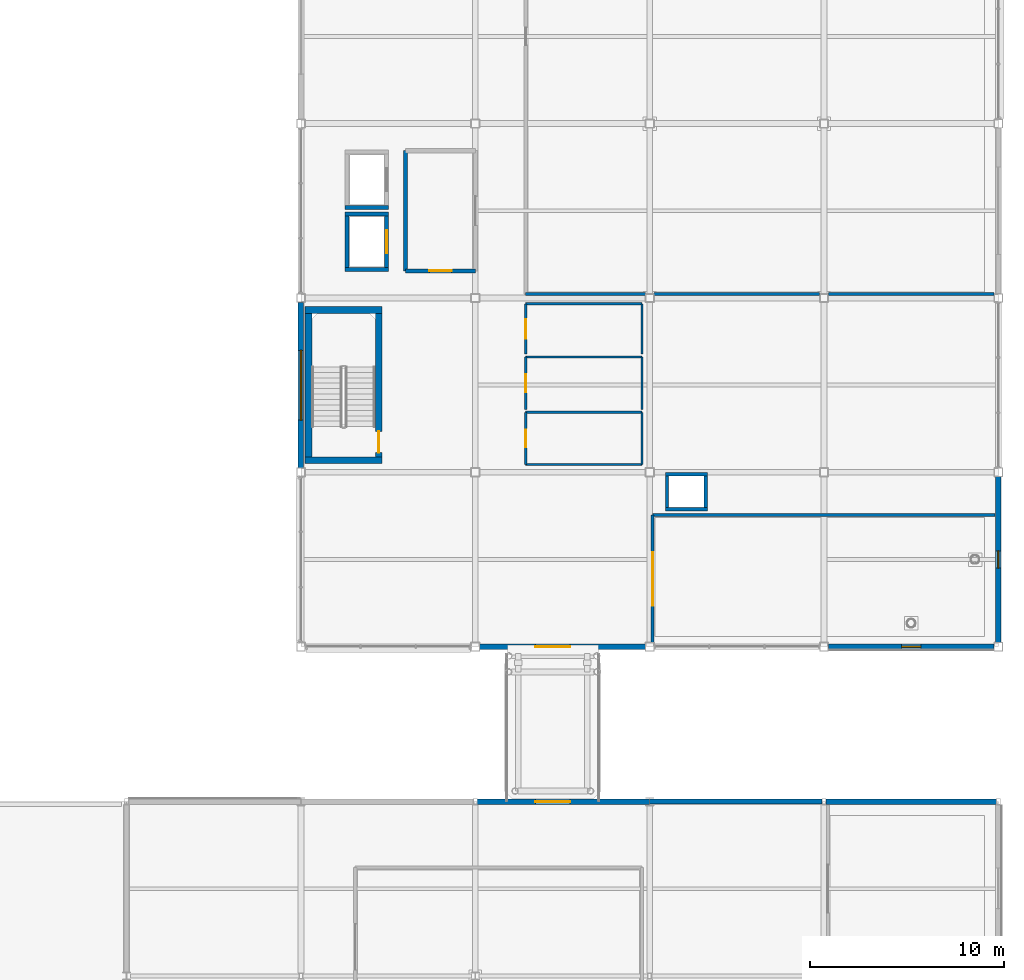
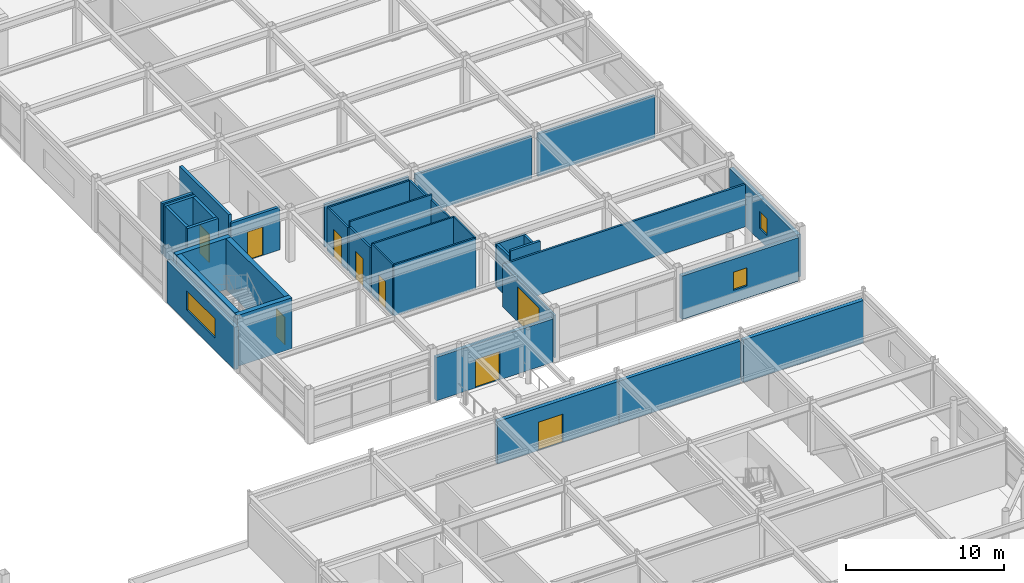
# One storey, part 78 of 105: 37 walls, 9 doors, 3 windows, 12 openings.
"""IFC4 building model written with IfcOpenShell, lengths in metres."""

from ifc_helpers import new_model, si_unit, direction, frame, frame_2d, origin, place, context, subcontext, project, spatial, rectangle, extrude, material, layer, layer_set, type_object, element, fill, save


model = new_model("IFC4")

# Units and contexts
model_context = context("Model", 3, precision=1e-05, world=origin(), true_north=direction((0.0, 1.0)))
body_context = subcontext(model_context, "Body", "Model", "MODEL_VIEW")
ifc_project = project(units=[si_unit("LENGTHUNIT", "METRE"), si_unit("AREAUNIT", "SQUARE_METRE"), si_unit("VOLUMEUNIT", "CUBIC_METRE"), si_unit("PLANEANGLEUNIT", "RADIAN"), si_unit("MASSUNIT", "GRAM", prefix="KILO")], contexts=[model_context])

# Site, building, storey
site_placement = place(None, origin())
site = spatial("IfcSite", under=ifc_project, at=site_placement, CompositionType="ELEMENT")
building_placement = place(site_placement, origin())
building = spatial("IfcBuilding", under=site, at=building_placement, Name="Suzunagisa Mobility Hub", CompositionType="ELEMENT")
storey_placement = place(building_placement, frame((0.0, 0.0, 5.10009765625)))
storey = spatial("IfcBuildingStorey", under=building, at=storey_placement, Name="L01", CompositionType="ELEMENT", Elevation=5.10009765625)

# Walls
ifc_material_1 = material(Name="Porcelain-Faced Insulated Concrete C30/37 Wall", Category="concrete")
ifc_layer_1 = layer(ifc_material_1, 0.260009765625)
ifc_layer_set_1 = layer_set([ifc_layer_1], Name="Porcelain-Faced Insulated Concrete C30/37 Wall")
wall_type_1 = type_object("IfcWallType", Name="Exterior Wall EW-03 260mm", PredefinedType="SOLIDWALL", material=ifc_layer_set_1)
wall_1_placement = place(storey_placement, frame((170.89990234375, 36.0, 0.0), z_axis=(0.0, 0.0, 1.0), x_axis=(-1.0, 0.0, 0.0)))
element("IfcWall", 1, at=wall_1_placement, inside=storey, type_object=wall_type_1, Name="L01 Exterior Facade Wall EW-302", PredefinedType="SOLIDWALL", context=body_context, shape_type="SweptSolid", body=[
    extrude(rectangle(XDim=8.8955078125, YDim=0.260009765625, at=frame_2d((4.44775390625, 0.0))), origin(), (0.0, 0.0, 1.0), 3.2998046875),
])
ifc_layer_2 = layer(ifc_material_1, 0.280029296875)
ifc_layer_set_2 = layer_set([ifc_layer_2], Name="Porcelain-Faced Insulated Concrete C30/37 Wall")
wall_type_2 = type_object("IfcWallType", Name="Exterior Wall EW-08 280mm", PredefinedType="SOLIDWALL", material=ifc_layer_set_2)
wall_2_placement = place(storey_placement, frame((179.89990234375, 36.0, 0.0), z_axis=(0.0, 0.0, 1.0), x_axis=(-1.0, 0.0, 0.0)))
element("IfcWall", 2, at=wall_2_placement, inside=storey, type_object=wall_type_2, Name="L01 Exterior Facade Wall EW-301", PredefinedType="SOLIDWALL", context=body_context, shape_type="SweptSolid", body=[
    extrude(rectangle(XDim=8.7998046875, YDim=0.280029296875, at=frame_2d((4.39990234375, 0.0))), origin(), (0.0, 0.0, 1.0), 3.2998046875),
])

# Wall, opening, door
wall_3_placement = place(storey_placement, frame((161.99560546875, 36.0, 0.0), z_axis=(0.0, 0.0, 1.0), x_axis=(-1.0, 0.0, 0.0)))
wall_3 = element("IfcWall", 3, at=wall_3_placement, inside=storey, type_object=wall_type_2, Name="L01 Skybridge Portal Facade Wall 303", PredefinedType="SOLIDWALL", context=body_context, shape_type="SweptSolid", body=[
    extrude(rectangle(XDim=8.8955078125, YDim=0.280029296875, at=frame_2d((4.44775390625, 0.0))), origin(), (0.0, 0.0, 1.0), 3.2998046875),
])
opening_1_placement = place(wall_3_placement, frame((5.8955078125, 0.0, 0.0), z_axis=(0.0, 0.0, 1.0), x_axis=(-1.0, 0.0, 0.0)))
opening_1 = element("IfcOpeningElement", 4, at=opening_1_placement, cuts=wall_3, Name="Opening ED-12", PredefinedType="OPENING", context=body_context, shape_type="SweptSolid", body=[
    extrude(rectangle(XDim=1.800048828125, YDim=2.199951171875, at=frame_2d((0.89990234375, 1.10009765625))), frame((0.0, 0.15087890625, 0.0), z_axis=(0.0, -1.0, 0.0), x_axis=(1.0, 0.0, 0.0)), (0.0, 0.0, 1.0), 0.302001953125),
])
ifc_material_2 = material(Name="Anodized Aluminum and Tempered Safety Glass", Category="aluminium")
door_type_1 = type_object("IfcDoorType", Name="Exterior Glazed Aluminum Door ED-12 1800x2200", OperationType="DOUBLE_DOOR_SINGLE_SWING", PredefinedType="DOOR", material=ifc_material_2)
door_1_placement = place(opening_1_placement, origin())
door_1 = element("IfcDoor", 5, at=door_1_placement, inside=storey, type_object=door_type_1, Name="L01 Skybridge Portal Glazed Door BD-33", OperationType="SINGLE_SWING_LEFT", OverallHeight=2.199951171875, OverallWidth=1.800048828125, PredefinedType="DOOR", context=body_context, shape_type="SweptSolid", body=[
    extrude(rectangle(XDim=1.800048828125, YDim=2.199951171875, at=frame_2d((0.89990234375, 1.10009765625))), frame((0.0, 0.02490234375, 0.0), z_axis=(0.0, -1.0, 0.0), x_axis=(1.0, 0.0, 0.0)), (0.0, 0.0, 1.0), 0.050048828125),
])
fill(opening_1, door_1)

wall_4_placement = place(storey_placement, frame((153.22509765625, 44.0, 0.0), z_axis=(0.0, 0.0, 1.0), x_axis=(1.0, 0.0, 0.0)))
wall_4 = element("IfcWall", 6, at=wall_4_placement, inside=storey, type_object=wall_type_2, Name="L01 Skybridge Portal Facade Wall 359", PredefinedType="SOLIDWALL", context=body_context, shape_type="SweptSolid", body=[
    extrude(rectangle(XDim=8.5498046875, YDim=0.280029296875, at=frame_2d((4.27490234375, 0.0))), origin(), (0.0, 0.0, 1.0), 3.36181640625),
])
opening_2_placement = place(wall_4_placement, frame((4.675048828125, 0.0, 0.0), z_axis=(0.0, 0.0, 1.0), x_axis=(-1.0, 0.0, 0.0)))
opening_2 = element("IfcOpeningElement", 7, at=opening_2_placement, cuts=wall_4, Name="Opening ED-12", PredefinedType="OPENING", context=body_context, shape_type="SweptSolid", body=[
    extrude(rectangle(XDim=1.800048828125, YDim=2.199951171875, at=frame_2d((0.89990234375, 1.10009765625))), frame((0.0, 0.15087890625, 0.0), z_axis=(0.0, -1.0, 0.0), x_axis=(1.0, 0.0, 0.0)), (0.0, 0.0, 1.0), 0.302001953125),
])
door_2_placement = place(opening_2_placement, origin())
door_2 = element("IfcDoor", 8, at=door_2_placement, inside=storey, type_object=door_type_1, Name="L01 Skybridge Portal Glazed Door BD-37", OperationType="SINGLE_SWING_LEFT", OverallHeight=2.199951171875, OverallWidth=1.800048828125, PredefinedType="DOOR", context=body_context, shape_type="SweptSolid", body=[
    extrude(rectangle(XDim=1.800048828125, YDim=2.199951171875, at=frame_2d((0.89990234375, 1.10009765625))), frame((0.0, 0.02490234375, 0.0), z_axis=(0.0, -1.0, 0.0), x_axis=(1.0, 0.0, 0.0)), (0.0, 0.0, 1.0), 0.050048828125),
])
fill(opening_2, door_2)

# Wall, opening, window
wall_5_placement = place(storey_placement, frame((180.0, 44.22509765625, 0.0), z_axis=(0.0, 0.0, 1.0), x_axis=(0.0, 1.0, 0.0)))
wall_5 = element("IfcWall", 9, at=wall_5_placement, inside=storey, type_object=wall_type_2, Name="L01 Exterior Facade Wall EW-361", PredefinedType="SOLIDWALL", context=body_context, shape_type="SweptSolid", body=[
    extrude(rectangle(XDim=8.5498046875, YDim=0.280029296875, at=frame_2d((4.27490234375, 0.0))), origin(), (0.0, 0.0, 1.0), 3.2998046875),
])
opening_3_placement = place(wall_5_placement, frame((3.824951171875, 0.0, 0.949951171875)))
opening_3 = element("IfcOpeningElement", 10, at=opening_3_placement, cuts=wall_5, Name="Opening WN-14", PredefinedType="OPENING", context=body_context, shape_type="SweptSolid", body=[
    extrude(rectangle(XDim=0.89990234375, YDim=1.300048828125, at=frame_2d((0.449951171875, 0.64990234375))), frame((0.0, 0.15087890625, 0.0), z_axis=(0.0, -1.0, 0.0), x_axis=(1.0, 0.0, 0.0)), (0.0, 0.0, 1.0), 0.302001953125),
])
ifc_material_3 = material(Name="Thermally Broken Anodized Aluminum and Low-E Double Glazing", Category="aluminium")
window_type_1 = type_object("IfcWindowType", Name="Aluminum Window WN-14 900x1300", PartitioningType="SINGLE_PANEL", PredefinedType="WINDOW", material=ifc_material_3)
window_1_placement = place(opening_3_placement, origin())
window_1 = element("IfcWindow", 11, at=window_1_placement, inside=storey, type_object=window_type_1, Name="L01 Scheduled Facade Window WN-116", OverallHeight=1.300048828125, OverallWidth=0.89990234375, PartitioningType="SINGLE_PANEL", PredefinedType="WINDOW", context=body_context, shape_type="SweptSolid", body=[
    extrude(rectangle(XDim=0.89990234375, YDim=1.300048828125, at=frame_2d((0.449951171875, 0.64990234375))), frame((0.0, 0.030029296875, 0.0), z_axis=(0.0, -1.0, 0.0), x_axis=(1.0, 0.0, 0.0)), (0.0, 0.0, 1.0), 0.06005859375),
])
fill(opening_3, window_1)

wall_6_placement = place(storey_placement, frame((144.0, 61.77490234375, 0.0), z_axis=(0.0, 0.0, 1.0), x_axis=(0.0, -1.0, 0.0)))
wall_6 = element("IfcWall", 12, at=wall_6_placement, inside=storey, type_object=wall_type_2, Name="L01 Exterior Facade Wall EW-369", PredefinedType="SOLIDWALL", context=body_context, shape_type="SweptSolid", body=[
    extrude(rectangle(XDim=8.5498046875, YDim=0.280029296875, at=frame_2d((4.27490234375, 0.0))), origin(), (0.0, 0.0, 1.0), 3.2998046875),
])
opening_4_placement = place(wall_6_placement, frame((2.47509765625, 0.0, 0.949951171875)))
opening_4 = element("IfcOpeningElement", 13, at=opening_4_placement, cuts=wall_6, Name="Opening WN-27", PredefinedType="OPENING", context=body_context, shape_type="SweptSolid", body=[
    extrude(rectangle(XDim=3.60009765625, YDim=1.5, at=frame_2d((1.800048828125, 0.75))), frame((0.0, 0.15087890625, 0.0), z_axis=(0.0, -1.0, 0.0), x_axis=(1.0, 0.0, 0.0)), (0.0, 0.0, 1.0), 0.302001953125),
])
window_type_2 = type_object("IfcWindowType", Name="Aluminum Window WN-27 3600x1500", PartitioningType="SINGLE_PANEL", PredefinedType="WINDOW", material=ifc_material_3)
window_2_placement = place(opening_4_placement, origin())
window_2 = element("IfcWindow", 14, at=window_2_placement, inside=storey, type_object=window_type_2, Name="L01 Scheduled Facade Window WN-123", OverallHeight=1.5, OverallWidth=3.60009765625, PartitioningType="SINGLE_PANEL", PredefinedType="WINDOW", context=body_context, shape_type="SweptSolid", body=[
    extrude(rectangle(XDim=3.60009765625, YDim=1.5, at=frame_2d((1.800048828125, 0.75))), frame((0.0, 0.030029296875, 0.0), z_axis=(0.0, -1.0, 0.0), x_axis=(1.0, 0.0, 0.0)), (0.0, 0.0, 1.0), 0.06005859375),
])
fill(opening_4, window_2)

ifc_material_4 = material(Name="Insulated Precast Concrete C35/45 Panel", Category="concrete")
ifc_layer_3 = layer(ifc_material_4, 0.300048828125)
ifc_layer_set_3 = layer_set([ifc_layer_3], Name="Insulated Precast Concrete C35/45 Panel")
wall_type_3 = type_object("IfcWallType", Name="Exterior Wall EW-09 300mm", PredefinedType="SOLIDWALL", material=ifc_layer_set_3)
wall_7_placement = place(storey_placement, frame((171.22509765625, 44.0, 0.0), z_axis=(0.0, 0.0, 1.0), x_axis=(1.0, 0.0, 0.0)))
wall_7 = element("IfcWall", 15, at=wall_7_placement, inside=storey, type_object=wall_type_3, Name="L01 Exterior Facade Wall EW-360", PredefinedType="SOLIDWALL", context=body_context, shape_type="SweptSolid", body=[
    extrude(rectangle(XDim=8.5498046875, YDim=0.300048828125, at=frame_2d((4.27490234375, 0.0))), origin(), (0.0, 0.0, 1.0), 3.36181640625),
])
opening_5_placement = place(wall_7_placement, frame((3.77490234375, 0.0, 0.949951171875)))
opening_5 = element("IfcOpeningElement", 16, at=opening_5_placement, cuts=wall_7, Name="Opening WN-21", PredefinedType="OPENING", context=body_context, shape_type="SweptSolid", body=[
    extrude(rectangle(XDim=1.0, YDim=1.39990234375, at=frame_2d((0.5, 0.699951171875))), frame((0.0, 0.1611328125, 0.0), z_axis=(0.0, -1.0, 0.0), x_axis=(1.0, 0.0, 0.0)), (0.0, 0.0, 1.0), 0.322021484375),
])
window_type_3 = type_object("IfcWindowType", Name="Aluminum Window WN-21 1000x1400", PartitioningType="SINGLE_PANEL", PredefinedType="WINDOW", material=ifc_material_3)
window_3_placement = place(opening_5_placement, origin())
window_3 = element("IfcWindow", 17, at=window_3_placement, inside=storey, type_object=window_type_3, Name="L01 Scheduled Facade Window WN-115", OverallHeight=1.39990234375, OverallWidth=1.0, PartitioningType="SINGLE_PANEL", PredefinedType="WINDOW", context=body_context, shape_type="SweptSolid", body=[
    extrude(rectangle(XDim=1.0, YDim=1.39990234375, at=frame_2d((0.5, 0.699951171875))), frame((0.0, 0.030029296875, 0.0), z_axis=(0.0, -1.0, 0.0), x_axis=(1.0, 0.0, 0.0)), (0.0, 0.0, 1.0), 0.06005859375),
])
fill(opening_5, window_3)

# Walls
ifc_material_5 = material(Name="Moisture-Resistant Gypsum Partition", Category="gypsum")
ifc_layer_4 = layer(ifc_material_5, 0.1201171875)
ifc_layer_set_4 = layer_set([ifc_layer_4], Name="Moisture-Resistant Gypsum Partition")
wall_type_4 = type_object("IfcWallType", Name="Interior Wall IW-02 120mm", PredefinedType="PARTITIONING", material=ifc_layer_set_4)
for number, where, z_axis, x_axis, name in (
    (18, (155.60009765625, 53.39990234375, 0.0), (0.0, 0.0, 1.0), (1.0, 0.0, 0.0), "L01 Male Restroom WC L01 Partition PW-585"),
    (19, (155.60009765625, 56.10009765625, 0.0), (0.0, 0.0, 1.0), (1.0, 0.0, 0.0), "L01 Male Restroom WC L01 Partition PW-586"),
):
    element("IfcWall", number, at=place(storey_placement, frame(where, z_axis=z_axis, x_axis=x_axis)), inside=storey, type_object=wall_type_4, Name=name, PredefinedType="PARTITIONING", context=body_context, shape_type="SweptSolid", body=[
        extrude(rectangle(XDim=6.0, YDim=0.1201171875, at=frame_2d((3.0, 0.0))), origin(), (0.0, 0.0, 1.0), 3.93994140625),
    ])

# Wall, opening, door
wall_8_placement = place(storey_placement, frame((155.60009765625, 53.39990234375, 0.0), z_axis=(0.0, 0.0, 1.0), x_axis=(0.0, 1.0, 0.0)))
wall_8 = element("IfcWall", 20, at=wall_8_placement, inside=storey, type_object=wall_type_4, Name="L01 Male Restroom WC L01 Partition PW-587", PredefinedType="PARTITIONING", context=body_context, shape_type="SweptSolid", body=[
    extrude(rectangle(XDim=2.7001953125, YDim=0.1201171875, at=frame_2d((1.35009765625, 0.0))), origin(), (0.0, 0.0, 1.0), 3.93994140625),
])
opening_6_placement = place(wall_8_placement, frame((0.889892578125, 0.0, 0.0)))
opening_6 = element("IfcOpeningElement", 21, at=opening_6_placement, cuts=wall_8, Name="Opening DR-02", PredefinedType="OPENING", context=body_context, shape_type="SweptSolid", body=[
    extrude(rectangle(XDim=0.919921875, YDim=2.10009765625, at=frame_2d((0.4599609375, 1.050048828125))), frame((0.0, 0.071044921875, 0.0), z_axis=(0.0, -1.0, 0.0), x_axis=(1.0, 0.0, 0.0)), (0.0, 0.0, 1.0), 0.14208984375),
])
ifc_material_6 = material(Name="Sanitary Restroom Laminate Door")
door_type_2 = type_object("IfcDoorType", Name="Interior Door DR-02 920x2100", OperationType="SINGLE_SWING_LEFT", PredefinedType="DOOR", material=ifc_material_6)
door_3_placement = place(opening_6_placement, origin())
door_3 = element("IfcDoor", 22, at=door_3_placement, inside=storey, type_object=door_type_2, Name="L01 Male Restroom WC L01 Door DR-143", OperationType="SINGLE_SWING_RIGHT", OverallHeight=2.10009765625, OverallWidth=0.919921875, PredefinedType="DOOR", context=body_context, shape_type="SweptSolid", body=[
    extrude(rectangle(XDim=0.919921875, YDim=2.10009765625, at=frame_2d((0.4599609375, 1.050048828125))), frame((0.0, 0.02490234375, 0.0), z_axis=(0.0, -1.0, 0.0), x_axis=(1.0, 0.0, 0.0)), (0.0, 0.0, 1.0), 0.050048828125),
])
fill(opening_6, door_3)

# Walls
wall_9_placement = place(storey_placement, frame((161.60009765625, 53.39990234375, 0.0), z_axis=(0.0, 0.0, 1.0), x_axis=(0.0, 1.0, 0.0)))
element("IfcWall", 23, at=wall_9_placement, inside=storey, type_object=wall_type_4, Name="L01 Male Restroom WC L01 Partition PW-588", PredefinedType="PARTITIONING", context=body_context, shape_type="SweptSolid", body=[
    extrude(rectangle(XDim=2.7001953125, YDim=0.1201171875, at=frame_2d((1.35009765625, 0.0))), origin(), (0.0, 0.0, 1.0), 3.93994140625),
])
wall_10_placement = place(storey_placement, frame((155.60009765625, 58.949951171875, 0.0), z_axis=(0.0, 0.0, 1.0), x_axis=(1.0, 0.0, 0.0)))
element("IfcWall", 24, at=wall_10_placement, inside=storey, type_object=wall_type_4, Name="L01 Female Restroom WC L01 Partition PW-589", PredefinedType="PARTITIONING", context=body_context, shape_type="SweptSolid", body=[
    extrude(rectangle(XDim=6.0, YDim=0.1201171875, at=frame_2d((3.0, 0.0))), origin(), (0.0, 0.0, 1.0), 3.93994140625),
])

# Wall, opening, door
wall_11_placement = place(storey_placement, frame((155.60009765625, 56.25, 0.0), z_axis=(0.0, 0.0, 1.0), x_axis=(0.0, 1.0, 0.0)))
wall_11 = element("IfcWall", 25, at=wall_11_placement, inside=storey, type_object=wall_type_4, Name="L01 Female Restroom WC L01 Partition PW-590", PredefinedType="PARTITIONING", context=body_context, shape_type="SweptSolid", body=[
    extrude(rectangle(XDim=2.699951171875, YDim=0.1201171875, at=frame_2d((1.35009765625, 0.0))), origin(), (0.0, 0.0, 1.0), 3.5498046875),
])
opening_7_placement = place(wall_11_placement, frame((0.875, 0.0, 0.0)))
opening_7 = element("IfcOpeningElement", 26, at=opening_7_placement, cuts=wall_11, Name="Opening DR-19", PredefinedType="OPENING", context=body_context, shape_type="SweptSolid", body=[
    extrude(rectangle(XDim=0.949951171875, YDim=2.14990234375, at=frame_2d((0.47509765625, 1.074951171875))), frame((0.0, 0.071044921875, 0.0), z_axis=(0.0, -1.0, 0.0), x_axis=(1.0, 0.0, 0.0)), (0.0, 0.0, 1.0), 0.14208984375),
])
ifc_material_7 = material(Name="Sanitary Restroom Acoustic Door")
door_type_3 = type_object("IfcDoorType", Name="Interior Door DR-19 950x2150", OperationType="SINGLE_SWING_LEFT", PredefinedType="DOOR", material=ifc_material_7)
door_4_placement = place(opening_7_placement, origin())
door_4 = element("IfcDoor", 27, at=door_4_placement, inside=storey, type_object=door_type_3, Name="L01 Female Restroom WC L01 Door DR-144", OperationType="SINGLE_SWING_LEFT", OverallHeight=2.14990234375, OverallWidth=0.949951171875, PredefinedType="DOOR", context=body_context, shape_type="SweptSolid", body=[
    extrude(rectangle(XDim=0.949951171875, YDim=2.14990234375, at=frame_2d((0.47509765625, 1.074951171875))), frame((0.0, 0.02490234375, 0.0), z_axis=(0.0, -1.0, 0.0), x_axis=(1.0, 0.0, 0.0)), (0.0, 0.0, 1.0), 0.050048828125),
])
fill(opening_7, door_4)

# Walls
wall_12_placement = place(storey_placement, frame((161.60009765625, 56.25, 0.0), z_axis=(0.0, 0.0, 1.0), x_axis=(0.0, 1.0, 0.0)))
element("IfcWall", 28, at=wall_12_placement, inside=storey, type_object=wall_type_4, Name="L01 Female Restroom WC L01 Partition PW-591", PredefinedType="PARTITIONING", context=body_context, shape_type="SweptSolid", body=[
    extrude(rectangle(XDim=2.699951171875, YDim=0.1201171875, at=frame_2d((1.35009765625, 0.0))), origin(), (0.0, 0.0, 1.0), 3.5498046875),
])
wall_13_placement = place(storey_placement, frame((155.60009765625, 61.699951171875, 0.0), z_axis=(0.0, 0.0, 1.0), x_axis=(1.0, 0.0, 0.0)))
element("IfcWall", 29, at=wall_13_placement, inside=storey, type_object=wall_type_4, Name="L01 Accessible Restroom WC L01 Partition PW-592", PredefinedType="PARTITIONING", context=body_context, shape_type="SweptSolid", body=[
    extrude(rectangle(XDim=6.0, YDim=0.1201171875, at=frame_2d((3.0, 0.0))), origin(), (0.0, 0.0, 1.0), 3.36181640625),
])

# Wall, opening, door
wall_14_placement = place(storey_placement, frame((155.60009765625, 59.10009765625, 0.0), z_axis=(0.0, 0.0, 1.0), x_axis=(0.0, 1.0, 0.0)))
wall_14 = element("IfcWall", 30, at=wall_14_placement, inside=storey, type_object=wall_type_4, Name="L01 Accessible Restroom WC L01 Partition PW-593", PredefinedType="PARTITIONING", context=body_context, shape_type="SweptSolid", body=[
    extrude(rectangle(XDim=2.599853515625, YDim=0.1201171875, at=frame_2d((1.2998046875, 0.0))), origin(), (0.0, 0.0, 1.0), 3.36181640625),
])
opening_8_placement = place(wall_14_placement, frame((0.800048828125, 0.0, 0.0)))
opening_8 = element("IfcOpeningElement", 31, at=opening_8_placement, cuts=wall_14, Name="Opening DR-01", PredefinedType="OPENING", context=body_context, shape_type="SweptSolid", body=[
    extrude(rectangle(XDim=1.0, YDim=2.14990234375, at=frame_2d((0.5, 1.074951171875))), frame((0.0, 0.071044921875, 0.0), z_axis=(0.0, -1.0, 0.0), x_axis=(1.0, 0.0, 0.0)), (0.0, 0.0, 1.0), 0.14208984375),
])
ifc_material_8 = material(Name="Barrier-Free Accessible WC Door")
door_type_4 = type_object("IfcDoorType", Name="Interior Door DR-01 1000x2150", OperationType="SINGLE_SWING_LEFT", PredefinedType="DOOR", material=ifc_material_8)
door_5_placement = place(opening_8_placement, origin())
door_5 = element("IfcDoor", 32, at=door_5_placement, inside=storey, type_object=door_type_4, Name="L01 Accessible Restroom WC L01 Door DR-145", OperationType="SINGLE_SWING_RIGHT", OverallHeight=2.14990234375, OverallWidth=1.0, PredefinedType="DOOR", context=body_context, shape_type="SweptSolid", body=[
    extrude(rectangle(XDim=1.0, YDim=2.14990234375, at=frame_2d((0.5, 1.074951171875))), frame((0.0, 0.02490234375, 0.0), z_axis=(0.0, -1.0, 0.0), x_axis=(1.0, 0.0, 0.0)), (0.0, 0.0, 1.0), 0.050048828125),
])
fill(opening_8, door_5)

# Wall
wall_15_placement = place(storey_placement, frame((161.60009765625, 59.10009765625, 0.0), z_axis=(0.0, 0.0, 1.0), x_axis=(0.0, 1.0, 0.0)))
element("IfcWall", 33, at=wall_15_placement, inside=storey, type_object=wall_type_4, Name="L01 Accessible Restroom WC L01 Partition PW-594", PredefinedType="PARTITIONING", context=body_context, shape_type="SweptSolid", body=[
    extrude(rectangle(XDim=2.599853515625, YDim=0.1201171875, at=frame_2d((1.2998046875, 0.0))), origin(), (0.0, 0.0, 1.0), 3.36181640625),
])

# Wall, opening, door
ifc_material_9 = material(Name="Fire-Rated Gypsum Stud Partition", Category="gypsum")
ifc_layer_5 = layer(ifc_material_9, 0.2099609375)
ifc_layer_set_5 = layer_set([ifc_layer_5], Name="Fire-Rated Gypsum Stud Partition")
wall_type_5 = type_object("IfcWallType", Name="Interior Wall IW-03 210mm", PredefinedType="PARTITIONING", material=ifc_layer_set_5)
wall_16_placement = place(storey_placement, frame((148.425048828125, 63.580078125, 0.0), z_axis=(0.0, 0.0, 1.0), x_axis=(0.0, 1.0, 0.0)))
wall_16 = element("IfcWall", 34, at=wall_16_placement, inside=storey, type_object=wall_type_5, Name="L01 Lift LF-05 Shaft Front Wall", PredefinedType="PARTITIONING", context=body_context, shape_type="SweptSolid", body=[
    extrude(rectangle(XDim=2.639892578125, YDim=0.2099609375, at=frame_2d((1.31982421875, 0.0))), origin(), (0.0, 0.0, 1.0), 3.93994140625),
])
opening_9_placement = place(wall_16_placement, frame((0.719970703125, 0.0, 0.0)))
opening_9 = element("IfcOpeningElement", 35, at=opening_9_placement, cuts=wall_16, Name="Opening LD-03", PredefinedType="OPENING", context=body_context, shape_type="SweptSolid", body=[
    extrude(rectangle(XDim=1.199951171875, YDim=2.199951171875, at=frame_2d((0.60009765625, 1.10009765625))), frame((0.0, 0.115966796875, 0.0), z_axis=(0.0, -1.0, 0.0), x_axis=(1.0, 0.0, 0.0)), (0.0, 0.0, 1.0), 0.23193359375),
])
ifc_material_10 = material(Name="Brushed Stainless Steel SUS304", Category="metal")
door_type_5 = type_object("IfcDoorType", Name="Lift Landing Sliding Door LD-03 1200x2200", OperationType="SLIDING_TO_LEFT", PredefinedType="DOOR", material=ifc_material_10)
door_6_placement = place(opening_9_placement, origin())
door_6 = element("IfcDoor", 36, at=door_6_placement, inside=storey, type_object=door_type_5, Name="L01 Lift LF-05 Sliding Landing Door", OperationType="SLIDING_TO_RIGHT", OverallHeight=2.199951171875, OverallWidth=1.199951171875, PredefinedType="DOOR", context=body_context, shape_type="SweptSolid", body=[
    extrude(rectangle(XDim=1.199951171875, YDim=2.199951171875, at=frame_2d((0.60009765625, 1.10009765625))), frame((0.0, 0.02490234375, 0.0), z_axis=(0.0, -1.0, 0.0), x_axis=(1.0, 0.0, 0.0)), (0.0, 0.0, 1.0), 0.050048828125),
])
fill(opening_9, door_6)

# Walls
wall_17_placement = place(storey_placement, frame((146.375, 63.580078125, 0.0), z_axis=(0.0, 0.0, 1.0), x_axis=(0.0, 1.0, 0.0)))
element("IfcWall", 37, at=wall_17_placement, inside=storey, type_object=wall_type_5, Name="L01 Lift LF-05 Shaft Back Wall", PredefinedType="PARTITIONING", context=body_context, shape_type="SweptSolid", body=[
    extrude(rectangle(XDim=2.639892578125, YDim=0.2099609375, at=frame_2d((1.31982421875, 0.0))), origin(), (0.0, 0.0, 1.0), 3.93994140625),
])
for number, where, z_axis, x_axis, name in (
    (38, (146.27001953125, 63.47509765625, 0.0), (0.0, 0.0, 1.0), (1.0, 0.0, 0.0), "L01 Lift LF-05 Shaft South Wall"),
    (39, (146.27001953125, 66.324951171875, 0.0), (0.0, 0.0, 1.0), (1.0, 0.0, 0.0), "L01 Lift LF-05 Shaft North Wall"),
    (40, (146.27001953125, 66.675048828125, 0.0), (0.0, 0.0, 1.0), (1.0, 0.0, 0.0), "L01 Lift LF-06 Shaft South Wall"),
):
    element("IfcWall", number, at=place(storey_placement, frame(where, z_axis=z_axis, x_axis=x_axis)), inside=storey, type_object=wall_type_5, Name=name, PredefinedType="PARTITIONING", context=body_context, shape_type="SweptSolid", body=[
        extrude(rectangle(XDim=2.260009765625, YDim=0.2099609375, at=frame_2d((1.1298828125, 0.0))), origin(), (0.0, 0.0, 1.0), 3.93994140625),
    ])

# Wall, opening, door
wall_18_placement = place(storey_placement, frame((149.39990234375, 63.39990234375, 0.0), z_axis=(0.0, 0.0, 1.0), x_axis=(1.0, 0.0, 0.0)))
wall_18 = element("IfcWall", 41, at=wall_18_placement, inside=storey, type_object=wall_type_5, Name="L01 Firefighting Lift Lobby L01 Partition PW-541", PredefinedType="PARTITIONING", context=body_context, shape_type="SweptSolid", body=[
    extrude(rectangle(XDim=3.60009765625, YDim=0.2099609375, at=frame_2d((1.800048828125, 0.0))), origin(), (0.0, 0.0, 1.0), 3.2998046875),
])
opening_10_placement = place(wall_18_placement, frame((1.22509765625, 0.0, 0.0)))
opening_10 = element("IfcOpeningElement", 42, at=opening_10_placement, cuts=wall_18, Name="Opening DR-20", PredefinedType="OPENING", context=body_context, shape_type="SweptSolid", body=[
    extrude(rectangle(XDim=1.14990234375, YDim=2.199951171875, at=frame_2d((0.574951171875, 1.10009765625))), frame((0.0, 0.115966796875, 0.0), z_axis=(0.0, -1.0, 0.0), x_axis=(1.0, 0.0, 0.0)), (0.0, 0.0, 1.0), 0.23193359375),
])
ifc_material_11 = material(Name="Fire-Rated Hollow Steel Stair Door", Category="steel")
door_type_6 = type_object("IfcDoorType", Name="Interior Door DR-20 1150x2200", OperationType="SINGLE_SWING_LEFT", PredefinedType="DOOR", material=ifc_material_11)
door_7_placement = place(opening_10_placement, origin())
door_7 = element("IfcDoor", 43, at=door_7_placement, inside=storey, type_object=door_type_6, Name="L01 Firefighting Lobby to Escape Stair Door SD-125", OperationType="SINGLE_SWING_RIGHT", OverallHeight=2.199951171875, OverallWidth=1.14990234375, PredefinedType="DOOR", context=body_context, shape_type="SweptSolid", body=[
    extrude(rectangle(XDim=1.14990234375, YDim=2.199951171875, at=frame_2d((0.574951171875, 1.10009765625))), frame((0.0, 0.02490234375, 0.0), z_axis=(0.0, -1.0, 0.0), x_axis=(1.0, 0.0, 0.0)), (0.0, 0.0, 1.0), 0.050048828125),
])
fill(opening_10, door_7)

# Walls
wall_19_placement = place(storey_placement, frame((149.39990234375, 63.39990234375, 0.0), z_axis=(0.0, 0.0, 1.0), x_axis=(0.0, 1.0, 0.0)))
element("IfcWall", 44, at=wall_19_placement, inside=storey, type_object=wall_type_5, Name="L01 Firefighting Lift Lobby L01 Partition PW-543", PredefinedType="PARTITIONING", context=body_context, shape_type="SweptSolid", body=[
    extrude(rectangle(XDim=6.2001953125, YDim=0.2099609375, at=frame_2d((3.10009765625, 0.0))), origin(), (0.0, 0.0, 1.0), 3.93994140625),
])
ifc_material_12 = material(Name="Concrete C35/45", Category="concrete")
ifc_layer_6 = layer(ifc_material_12, 0.35009765625)
ifc_layer_set_6 = layer_set([ifc_layer_6], Name="Concrete C35/45")
wall_type_6 = type_object("IfcWallType", Name="Interior Wall IW-04 350mm", PredefinedType="SHEAR", material=ifc_layer_set_6)
for number, where, z_axis, x_axis, name in (
    (45, (144.2099609375, 53.625, 0.0), (0.0, 0.0, 1.0), (1.0, 0.0, 0.0), "L01 Core C5 Shear Wall SW-389"),
    (46, (144.2099609375, 61.375, 0.0), (0.0, 0.0, 1.0), (1.0, 0.0, 0.0), "L01 Core C5 Shear Wall SW-390"),
):
    element("IfcWall", number, at=place(storey_placement, frame(where, z_axis=z_axis, x_axis=x_axis)), inside=storey, type_object=wall_type_6, Name=name, PredefinedType="SHEAR", context=body_context, shape_type="SweptSolid", body=[
        extrude(rectangle(XDim=3.97998046875, YDim=0.35009765625, at=frame_2d((1.989990234375, 0.0))), origin(), (0.0, 0.0, 1.0), 3.93994140625),
    ])
wall_20_placement = place(storey_placement, frame((144.385009765625, 53.800048828125, 0.0), z_axis=(0.0, 0.0, 1.0), x_axis=(0.0, 1.0, 0.0)))
element("IfcWall", 47, at=wall_20_placement, inside=storey, type_object=wall_type_6, Name="L01 Core C5 Shear Wall SW-391", PredefinedType="SHEAR", context=body_context, shape_type="SweptSolid", body=[
    extrude(rectangle(XDim=7.39990234375, YDim=0.35009765625, at=frame_2d((3.699951171875, 0.0))), origin(), (0.0, 0.0, 1.0), 3.93994140625),
])

# Wall, opening, door
wall_21_placement = place(storey_placement, frame((148.014892578125, 53.800048828125, 0.0), z_axis=(0.0, 0.0, 1.0), x_axis=(0.0, 1.0, 0.0)))
wall_21 = element("IfcWall", 48, at=wall_21_placement, inside=storey, type_object=wall_type_6, Name="L01 Core C5 Shear Wall SW-392", PredefinedType="SHEAR", context=body_context, shape_type="SweptSolid", body=[
    extrude(rectangle(XDim=7.39990234375, YDim=0.35009765625, at=frame_2d((3.699951171875, 0.0))), origin(), (0.0, 0.0, 1.0), 3.93994140625),
])
opening_11_placement = place(wall_21_placement, frame((0.219970703125, 0.0, 0.0)))
opening_11 = element("IfcOpeningElement", 49, at=opening_11_placement, cuts=wall_21, Name="Opening DR-05", PredefinedType="OPENING", context=body_context, shape_type="SweptSolid", body=[
    extrude(rectangle(XDim=1.10009765625, YDim=2.14990234375, at=frame_2d((0.550048828125, 1.074951171875))), frame((0.0, 0.18603515625, 0.0), z_axis=(0.0, -1.0, 0.0), x_axis=(1.0, 0.0, 0.0)), (0.0, 0.0, 1.0), 0.3720703125),
])
door_type_7 = type_object("IfcDoorType", Name="Interior Door DR-05 1100x2150", OperationType="SINGLE_SWING_LEFT", PredefinedType="DOOR", material=ifc_material_11)
door_8_placement = place(opening_11_placement, origin())
door_8 = element("IfcDoor", 50, at=door_8_placement, inside=storey, type_object=door_type_7, Name="L01 Core C5 Escape Stair Fire Door SD-95", OperationType="SINGLE_SWING_RIGHT", OverallHeight=2.14990234375, OverallWidth=1.10009765625, PredefinedType="DOOR", context=body_context, shape_type="SweptSolid", body=[
    extrude(rectangle(XDim=1.10009765625, YDim=2.14990234375, at=frame_2d((0.550048828125, 1.074951171875))), frame((0.0, 0.02490234375, 0.0), z_axis=(0.0, -1.0, 0.0), x_axis=(1.0, 0.0, 0.0)), (0.0, 0.0, 1.0), 0.050048828125),
])
fill(opening_11, door_8)

# Walls
ifc_layer_7 = layer(ifc_material_9, 0.169921875)
ifc_layer_set_7 = layer_set([ifc_layer_7], Name="Fire-Rated Gypsum Stud Partition")
wall_type_7 = type_object("IfcWallType", Name="Interior Wall IW-05 170mm", PredefinedType="PARTITIONING", material=ifc_layer_set_7)
wall_22_placement = place(storey_placement, frame((162.81494140625, 51.10009765625, 0.0), z_axis=(0.0, 0.0, 1.0), x_axis=(1.0, 0.0, 0.0)))
element("IfcWall", 51, at=wall_22_placement, inside=storey, type_object=wall_type_7, Name="L01 MEP Service Riser Wall RW-509", PredefinedType="PARTITIONING", context=body_context, shape_type="SweptSolid", body=[
    extrude(rectangle(XDim=2.170166015625, YDim=0.169921875, at=frame_2d((1.0849609375, 0.0))), origin(), (0.0, 0.0, 1.0), 3.919921875),
])
wall_23_placement = place(storey_placement, frame((162.81494140625, 52.89990234375, 0.0), z_axis=(0.0, 0.0, 1.0), x_axis=(1.0, 0.0, 0.0)))
element("IfcWall", 52, at=wall_23_placement, inside=storey, type_object=wall_type_7, Name="L01 MEP Service Riser Wall RW-510", PredefinedType="PARTITIONING", context=body_context, shape_type="SweptSolid", body=[
    extrude(rectangle(XDim=2.170166015625, YDim=0.169921875, at=frame_2d((1.0849609375, 0.0))), origin(), (0.0, 0.0, 1.0), 3.36181640625),
])
for number, where, z_axis, x_axis, name in (
    (53, (162.89990234375, 51.18505859375, 0.0), (0.0, 0.0, 1.0), (0.0, 1.0, 0.0), "L01 MEP Service Riser Wall RW-511"),
    (54, (164.89990234375, 51.18505859375, 0.0), (0.0, 0.0, 1.0), (0.0, 1.0, 0.0), "L01 MEP Service Riser Wall RW-512"),
):
    element("IfcWall", number, at=place(storey_placement, frame(where, z_axis=z_axis, x_axis=x_axis)), inside=storey, type_object=wall_type_7, Name=name, PredefinedType="PARTITIONING", context=body_context, shape_type="SweptSolid", body=[
        extrude(rectangle(XDim=1.6298828125, YDim=0.169921875, at=frame_2d((0.81494140625, 0.0))), origin(), (0.0, 0.0, 1.0), 3.36181640625),
    ])
wall_24_placement = place(storey_placement, frame((155.60009765625, 62.199951171875, 0.0), z_axis=(0.0, 0.0, 1.0), x_axis=(1.0, 0.0, 0.0)))
element("IfcWall", 55, at=wall_24_placement, inside=storey, type_object=wall_type_7, Name="L01 Driver Safety Simulation and Training Hall L01 Partition PW-788", PredefinedType="PARTITIONING", context=body_context, shape_type="SweptSolid", body=[
    extrude(rectangle(XDim=6.1748046875, YDim=0.169921875, at=frame_2d((3.08740234375, 0.0))), origin(), (0.0, 0.0, 1.0), 3.2998046875),
])
for number, where, z_axis, x_axis, name in (
    (56, (162.22509765625, 62.199951171875, 0.0), (0.0, 0.0, 1.0), (1.0, 0.0, 0.0), "L01 Driver Safety Simulation and Training Hall L01 Partition PW-789"),
    (57, (171.22509765625, 62.199951171875, 0.0), (0.0, 0.0, 1.0), (1.0, 0.0, 0.0), "L01 Driver Safety Simulation and Training Hall L01 Partition PW-790"),
):
    element("IfcWall", number, at=place(storey_placement, frame(where, z_axis=z_axis, x_axis=x_axis)), inside=storey, type_object=wall_type_7, Name=name, PredefinedType="PARTITIONING", context=body_context, shape_type="SweptSolid", body=[
        extrude(rectangle(XDim=8.5498046875, YDim=0.169921875, at=frame_2d((4.27490234375, 0.0))), origin(), (0.0, 0.0, 1.0), 3.2998046875),
    ])
ifc_material_13 = material(Name="Acoustic Steel-Stud Gypsum Partition", Category="steel")
ifc_layer_8 = layer(ifc_material_13, 0.14501953125)
ifc_layer_set_8 = layer_set([ifc_layer_8], Name="Acoustic Steel-Stud Gypsum Partition")
wall_type_8 = type_object("IfcWallType", Name="Interior Wall IW-06 145mm", PredefinedType="PARTITIONING", material=ifc_layer_set_8)
wall_25_placement = place(storey_placement, frame((162.14990234375, 50.800048828125, 0.0), z_axis=(0.0, 0.0, 1.0), x_axis=(1.0, 0.0, 0.0)))
element("IfcWall", 58, at=wall_25_placement, inside=storey, type_object=wall_type_8, Name="L01 Regional Mobility Operations and Traffic Control Room Partition PW-786", PredefinedType="PARTITIONING", context=body_context, shape_type="SweptSolid", body=[
    extrude(rectangle(XDim=17.68505859375, YDim=0.14501953125, at=frame_2d((8.842529296875, 0.0))), origin(), (0.0, 0.0, 1.0), 3.2998046875),
])

# Wall, opening, door
wall_26_placement = place(storey_placement, frame((162.14990234375, 44.22509765625, 0.0), z_axis=(0.0, 0.0, 1.0), x_axis=(0.0, 1.0, 0.0)))
wall_26 = element("IfcWall", 59, at=wall_26_placement, inside=storey, type_object=wall_type_8, Name="L01 Regional Mobility Operations and Traffic Control Room Partition PW-787", PredefinedType="PARTITIONING", context=body_context, shape_type="SweptSolid", body=[
    extrude(rectangle(XDim=6.574951171875, YDim=0.14501953125, at=frame_2d((3.28759765625, 0.0))), origin(), (0.0, 0.0, 1.0), 3.2998046875),
])
opening_12_placement = place(wall_26_placement, frame((1.89990234375, 0.0, 0.0)))
opening_12 = element("IfcOpeningElement", 60, at=opening_12_placement, cuts=wall_26, Name="Opening DR-28", PredefinedType="OPENING", context=body_context, shape_type="SweptSolid", body=[
    extrude(rectangle(XDim=2.75, YDim=2.699951171875, at=frame_2d((1.375, 1.35009765625))), frame((0.0, 0.08349609375, 0.0), z_axis=(0.0, -1.0, 0.0), x_axis=(1.0, 0.0, 0.0)), (0.0, 0.0, 1.0), 0.1669921875),
])
ifc_material_14 = material(Name="Wide Equipment Store Double Steel Door", Category="steel")
door_type_8 = type_object("IfcDoorType", Name="Interior Door DR-28 2750x2700", OperationType="SINGLE_SWING_LEFT", PredefinedType="DOOR", material=ifc_material_14)
door_9_placement = place(opening_12_placement, origin())
door_9 = element("IfcDoor", 61, at=door_9_placement, inside=storey, type_object=door_type_8, Name="L01 Regional Mobility Operations and Traffic Control Room Door DR-198", OperationType="SINGLE_SWING_LEFT", OverallHeight=2.699951171875, OverallWidth=2.75, PredefinedType="DOOR", context=body_context, shape_type="SweptSolid", body=[
    extrude(rectangle(XDim=2.75, YDim=2.699951171875, at=frame_2d((1.375, 1.35009765625))), frame((0.0, 0.02490234375, 0.0), z_axis=(0.0, -1.0, 0.0), x_axis=(1.0, 0.0, 0.0)), (0.0, 0.0, 1.0), 0.050048828125),
])
fill(opening_12, door_9)

save(model, "model.ifc")
